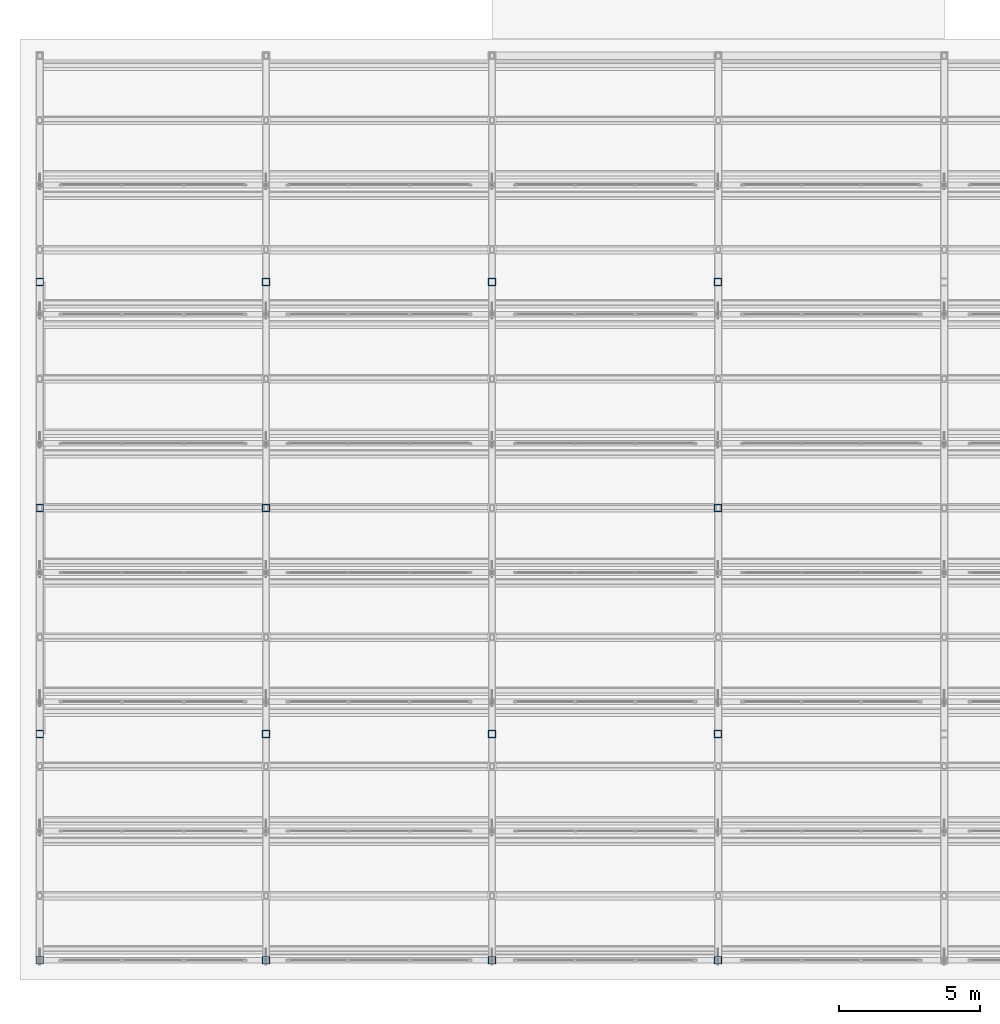
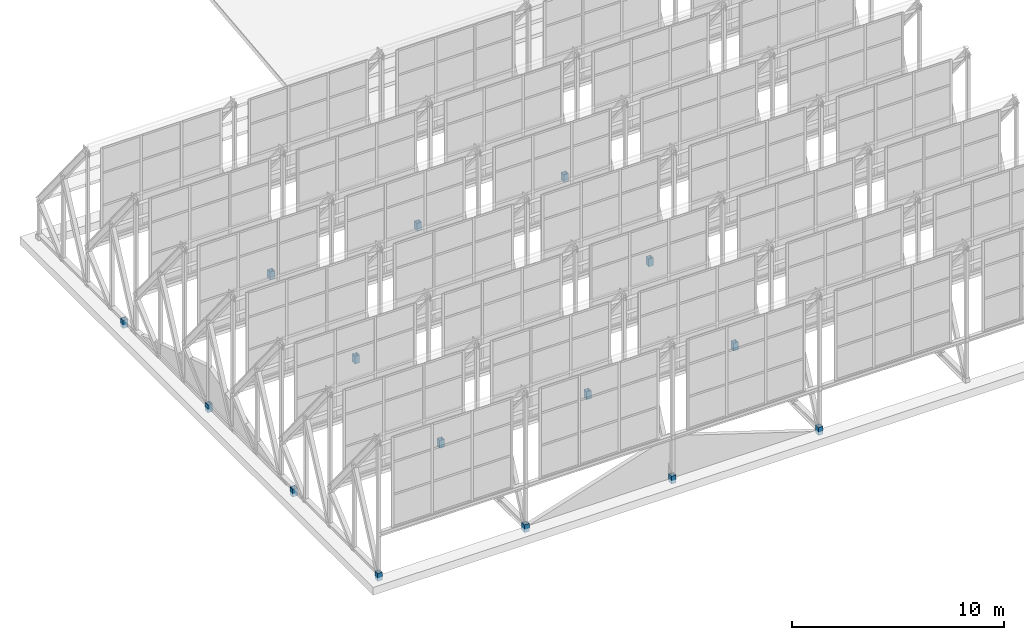
# One storey, part 2 of 34: 15 columns.
"""IFC4 building model written with IfcOpenShell, lengths in metres."""

from ifc_helpers import new_model, si_unit, direction, frame, origin, origin_2d, place, context, subcontext, project, spatial, hollow_rectangle, extrude, material, material_profile, profile_set, type_object, element, save


model = new_model("IFC4")

# Units and contexts
model_context = context("Model", 3, precision=1e-05, world=origin(), true_north=direction((0.0, 1.0)))
body_context = subcontext(model_context, "Body", "Model", "MODEL_VIEW")
ifc_project = project(units=[si_unit("LENGTHUNIT", "METRE"), si_unit("AREAUNIT", "SQUARE_METRE"), si_unit("VOLUMEUNIT", "CUBIC_METRE"), si_unit("PLANEANGLEUNIT", "RADIAN"), si_unit("MASSUNIT", "GRAM", prefix="KILO")], contexts=[model_context])

# Site, building, storey
site_placement = place(None, origin())
site = spatial("IfcSite", under=ifc_project, at=site_placement, CompositionType="ELEMENT")
building_placement = place(site_placement, origin())
building = spatial("IfcBuilding", under=site, at=building_placement, Name="Qorikala Patio Media Centre", CompositionType="ELEMENT")
storey_placement = place(building_placement, frame((0.0, 0.0, 32.699951171875)))
storey = spatial("IfcBuildingStorey", under=building, at=storey_placement, Name="RF", CompositionType="ELEMENT", Elevation=32.699951171875)

# Columns
ifc_material = material(Name="Steel S355", Category="steel")
ifc_material_profile = material_profile(ifc_material, hollow_rectangle(XDim=0.260009765625, YDim=0.260009765625, WallThickness=0.011962890625, at=origin_2d()), Name="HSS260X260X12")
ifc_profile_set = profile_set([ifc_material_profile], Name="Steel S355")
column_type = type_object("IfcColumnType", Name="SCOL-HSS260X260X12", PredefinedType="COLUMN", material=ifc_profile_set)
for number, where, z_axis, x_axis, name in (
    (1, (3.0, 3.0, 0.0), (0.0, 0.0, 1.0), (1.0, 0.0, 0.0), "SAW-V1 Truss Bearing Pedestal (3,3)"),
    (2, (3.0, 11.0, 0.0), (0.0, 0.0, 1.0), (1.0, 0.0, 0.0), "SAW-V1 Truss Bearing Pedestal (3,11)"),
    (3, (3.0, 19.0, 0.0), (0.0, 0.0, 1.0), (1.0, 0.0, 0.0), "SAW-V1 Truss Bearing Pedestal (3,19)"),
    (4, (3.0, 27.0, 0.0), (0.0, 0.0, 1.0), (1.0, 0.0, 0.0), "SAW-V1 Truss Bearing Pedestal (3,27)"),
    (5, (11.0, 3.0, 0.0), (0.0, 0.0, 1.0), (1.0, 0.0, 0.0), "SAW-V1 Truss Bearing Pedestal (11,3)"),
    (6, (11.0, 11.0, 0.0), (0.0, 0.0, 1.0), (1.0, 0.0, 0.0), "SAW-V1 Truss Bearing Pedestal (11,11)"),
    (7, (11.0, 19.0, 0.0), (0.0, 0.0, 1.0), (1.0, 0.0, 0.0), "SAW-V1 Truss Bearing Pedestal (11,19)"),
    (8, (11.0, 27.0, 0.0), (0.0, 0.0, 1.0), (1.0, 0.0, 0.0), "SAW-V1 Truss Bearing Pedestal (11,27)"),
    (9, (19.0, 3.0, 0.0), (0.0, 0.0, 1.0), (1.0, 0.0, 0.0), "SAW-V1 Truss Bearing Pedestal (19,3)"),
    (10, (19.0, 11.0, 0.0), (0.0, 0.0, 1.0), (1.0, 0.0, 0.0), "SAW-V1 Truss Bearing Pedestal (19,11)"),
    (11, (19.0, 27.0, 0.0), (0.0, 0.0, 1.0), (1.0, 0.0, 0.0), "SAW-V1 Truss Bearing Pedestal (19,27)"),
    (12, (27.0, 3.0, 0.0), (0.0, 0.0, 1.0), (1.0, 0.0, 0.0), "SAW-V1 Truss Bearing Pedestal (27,3)"),
    (13, (27.0, 11.0, 0.0), (0.0, 0.0, 1.0), (1.0, 0.0, 0.0), "SAW-V1 Truss Bearing Pedestal (27,11)"),
    (14, (27.0, 19.0, 0.0), (0.0, 0.0, 1.0), (1.0, 0.0, 0.0), "SAW-V1 Truss Bearing Pedestal (27,19)"),
    (15, (27.0, 27.0, 0.0), (0.0, 0.0, 1.0), (1.0, 0.0, 0.0), "SAW-V1 Truss Bearing Pedestal (27,27)"),
):
    element("IfcColumn", number, at=place(storey_placement, frame(where, z_axis=z_axis, x_axis=x_axis)), inside=storey, type_object=column_type, Name=name, PredefinedType="COLUMN", context=body_context, shape_type="SweptSolid", body=[
        extrude(hollow_rectangle(XDim=0.260009765625, YDim=0.260009765625, WallThickness=0.011962890625, at=origin_2d()), origin(), (0.0, 0.0, 1.0), 0.449951171875),
    ])

save(model, "model.ifc")
